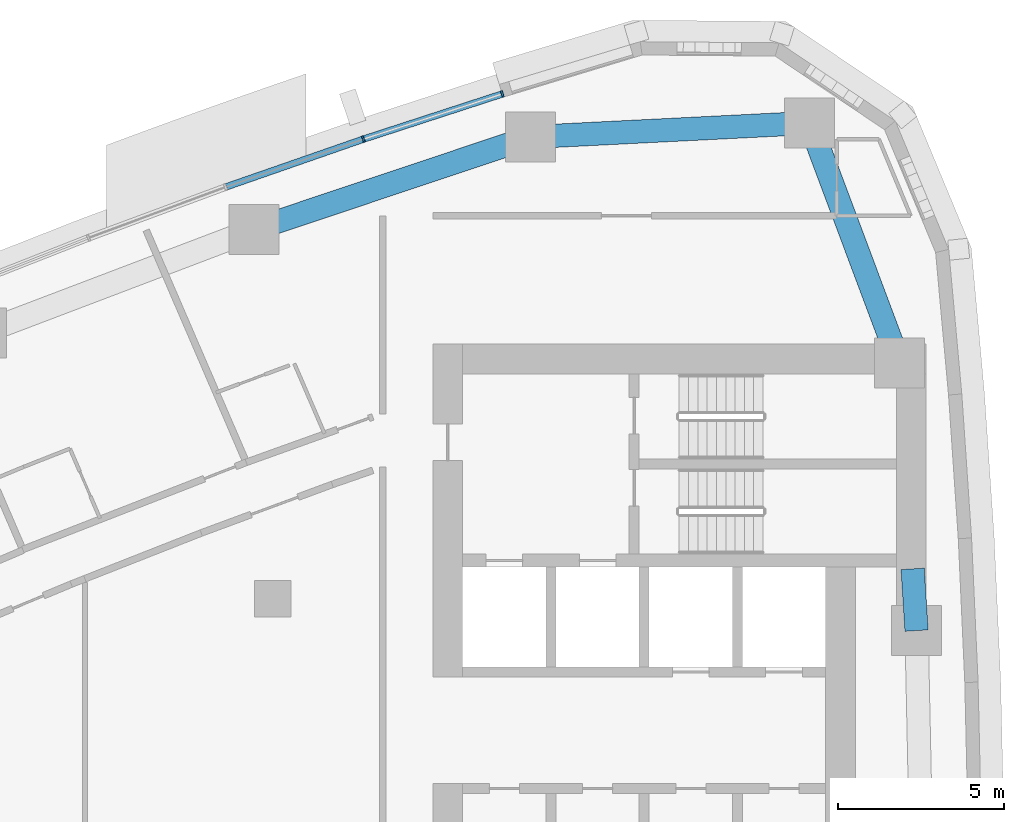
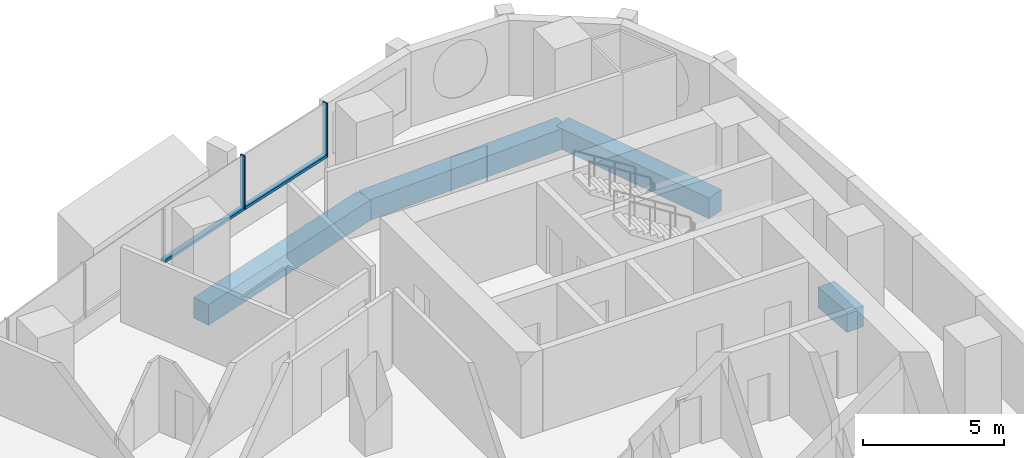
# One storey, part 6 of 17: 4 beams, 4 members, 1 element without a shape of its own.
"""IFC4 building model written with IfcOpenShell, lengths in metres."""

from ifc_helpers import new_model, si_unit, direction, frame, origin, origin_2d, place, context, subcontext, project, spatial, rectangle, extrude, material, layer, layer_set, material_profile, profile_set, type_object, element, aggregate, save


model = new_model("IFC4")

# Units and contexts
model_context = context("Model", 3, precision=1e-05, world=origin(), true_north=direction((0.0, 1.0)))
body_context = subcontext(model_context, "Body", "Model", "MODEL_VIEW")
ifc_project = project(units=[si_unit("LENGTHUNIT", "METRE"), si_unit("AREAUNIT", "SQUARE_METRE"), si_unit("VOLUMEUNIT", "CUBIC_METRE"), si_unit("PLANEANGLEUNIT", "RADIAN"), si_unit("MASSUNIT", "GRAM", prefix="KILO")], contexts=[model_context])

# Site, building, storey
site_placement = place(None, origin())
site = spatial("IfcSite", under=ifc_project, at=site_placement, CompositionType="ELEMENT")
building_placement = place(site_placement, origin())
building = spatial("IfcBuilding", under=site, at=building_placement, Name="Ostrand Prow Hotel Tower", CompositionType="ELEMENT")
storey_placement = place(building_placement, frame((0.0, 0.0, 140.85009765625)))
storey = spatial("IfcBuildingStorey", under=building, at=storey_placement, Name="L34", CompositionType="ELEMENT", Elevation=140.85009765625)

# Beams
ifc_material_1 = material(Name="Concrete C70/85", Category="concrete")
ifc_material_profile_1 = material_profile(ifc_material_1, rectangle(XDim=0.699951171875, YDim=0.89990234375, at=origin_2d()), Name="RC 700x900")
ifc_profile_set_1 = profile_set([ifc_material_profile_1], Name="Concrete C70/85")
beam_type = type_object("IfcBeamType", Name="Edge beam 700x900 C70/85", PredefinedType="SPANDREL", material=ifc_profile_set_1)
beam_1_placement = place(storey_placement, frame((64.32958984375, 8.044677734375, -0.75), z_axis=(-0.063563790544, 0.997977777574, 0.0), x_axis=(-0.997977777574, -0.063563790544, 0.0)))
element("IfcBeam", 1, at=beam_1_placement, inside=storey, type_object=beam_type, Name="Edge beam B4-B5", PredefinedType="SPANDREL", context=body_context, shape_type="SweptSolid", body=[
    extrude(rectangle(XDim=0.699951171875, YDim=0.89990234375, at=origin_2d()), origin(), (0.0, 0.0, 1.0), 1.85888671875),
])
beam_2_placement = place(storey_placement, frame((63.584716796875, 16.699951171875, -0.75), z_axis=(-0.350602524344, 0.93652435629, 0.0), x_axis=(-0.93652435629, -0.350602524344, 0.0)))
element("IfcBeam", 2, at=beam_2_placement, inside=storey, type_object=beam_type, Name="Edge beam B5-NE", PredefinedType="SPANDREL", context=body_context, shape_type="SweptSolid", body=[
    extrude(rectangle(XDim=0.699951171875, YDim=0.89990234375, at=origin_2d()), origin(), (0.0, 0.0, 1.0), 7.037353515625),
])
beam_3_placement = place(storey_placement, frame((61.117431640625, 23.29052734375, -0.75), z_axis=(-0.99873741544, -0.050235196825, 0.0), x_axis=(0.050235196825, -0.99873741544, 0.0)))
element("IfcBeam", 3, at=beam_3_placement, inside=storey, type_object=beam_type, Name="Edge beam NE-N1", PredefinedType="SPANDREL", context=body_context, shape_type="SweptSolid", body=[
    extrude(rectangle(XDim=0.699951171875, YDim=0.89990234375, at=origin_2d()), origin(), (0.0, 0.0, 1.0), 8.38818359375),
])
beam_4_placement = place(storey_placement, frame((52.73974609375, 22.869140625, -0.75), z_axis=(-0.948376051094, -0.317148018616, 0.0), x_axis=(0.317148018616, -0.948376051094, 0.0)))
element("IfcBeam", 4, at=beam_4_placement, inside=storey, type_object=beam_type, Name="Edge beam N1-N2", PredefinedType="SPANDREL", context=body_context, shape_type="SweptSolid", body=[
    extrude(rectangle(XDim=0.699951171875, YDim=0.89990234375, at=origin_2d()), origin(), (0.0, 0.0, 1.0), 8.75341796875),
])

# Curtain wall, members
ifc_material_2 = material(Name="Insulated glass in bronze anodised frame", Category="glass")
ifc_layer = layer(ifc_material_2, 0.199951171875)
ifc_layer_set = layer_set([ifc_layer], Name="Insulated glass in bronze anodised frame")
curtain_wall_type = type_object("IfcCurtainWallType", Name="Strip curtain wall, fritted glass over bronze spandrel", PredefinedType="NOTDEFINED", material=ifc_layer_set)
curtain_wall_placement = place(storey_placement, origin())
curtain_wall = element("IfcCurtainWall", 5, at=curtain_wall_placement, inside=storey, type_object=curtain_wall_type, Name="CW1 run CWN1", PredefinedType="NOTDEFINED")
ifc_material_3 = material(Name="Bronze anodised aluminium", Category="aluminium")
ifc_material_profile_2 = material_profile(ifc_material_3, rectangle(XDim=0.199951171875, YDim=0.06005859375, at=origin_2d()), Name="Mullion 60x200 bronze anodised aluminium")
ifc_profile_set_2 = profile_set([ifc_material_profile_2], Name="Bronze anodised aluminium")
member_type_1 = type_object("IfcMemberType", Name="Mullion 60x200 bronze anodised aluminium", PredefinedType="MULLION", material=ifc_profile_set_2)
member_1_placement = place(storey_placement, frame((51.888916015625, 24.16162109375, 0.89990234375), z_axis=(0.0, 0.0, 1.0), x_axis=(0.309380491373, -0.950938332153, 0.0)))
member_1 = element("IfcMember", 6, at=member_1_placement, type_object=member_type_1, Name="CW1 mullion 1", PredefinedType="MULLION", context=body_context, shape_type="SweptSolid", body=[
    extrude(rectangle(XDim=0.199951171875, YDim=0.06005859375, at=origin_2d()), origin(), (0.0, 0.0, 1.0), 2.35009765625),
])
member_2_placement = place(storey_placement, frame((47.718017578125, 22.8046875, 0.89990234375), z_axis=(0.0, 0.0, 1.0), x_axis=(0.328428177424, -0.944528947293, 0.0)))
member_2 = element("IfcMember", 7, at=member_2_placement, type_object=member_type_1, Name="CW1 mullion 2", PredefinedType="MULLION", context=body_context, shape_type="SweptSolid", body=[
    extrude(rectangle(XDim=0.199951171875, YDim=0.06005859375, at=origin_2d()), origin(), (0.0, 0.0, 1.0), 2.35009765625),
])
ifc_material_4 = material(Name="Bronze anodised aluminium", Category="aluminium")
ifc_material_profile_3 = material_profile(ifc_material_4, rectangle(XDim=0.199951171875, YDim=0.1201171875, at=origin_2d()), Name="Transom 120x200 bronze anodised aluminium")
ifc_profile_set_3 = profile_set([ifc_material_profile_3], Name="Bronze anodised aluminium")
member_type_2 = type_object("IfcMemberType", Name="Transom 120x200 bronze anodised aluminium", PredefinedType="USERDEFINED", material=ifc_profile_set_3)
member_3_placement = place(storey_placement, frame((51.8603515625, 24.15234375, 0.9599609375), z_axis=(-0.950938634958, -0.309379560643, 0.0), x_axis=(0.309379560643, -0.950938634958, 0.0)))
member_3 = element("IfcMember", 8, at=member_3_placement, type_object=member_type_2, Name="CW1 transom 1.1", ObjectType="TRANSOM", PredefinedType="USERDEFINED", context=body_context, shape_type="SweptSolid", body=[
    extrude(rectangle(XDim=0.199951171875, YDim=0.1201171875, at=origin_2d()), origin(), (0.0, 0.0, 1.0), 4.325927734375),
])
member_4_placement = place(storey_placement, frame((47.689697265625, 22.794921875, 0.9599609375), z_axis=(-0.944524201162, -0.328441826538, 0.0), x_axis=(0.328441826538, -0.944524201162, 0.0)))
member_4 = element("IfcMember", 9, at=member_4_placement, type_object=member_type_2, Name="CW1 transom 2.1", ObjectType="TRANSOM", PredefinedType="USERDEFINED", context=body_context, shape_type="SweptSolid", body=[
    extrude(rectangle(XDim=0.199951171875, YDim=0.1201171875, at=origin_2d()), origin(), (0.0, 0.0, 1.0), 4.326171875),
])
aggregate(curtain_wall, [member_1, member_2, member_3, member_4])

save(model, "model.ifc")
